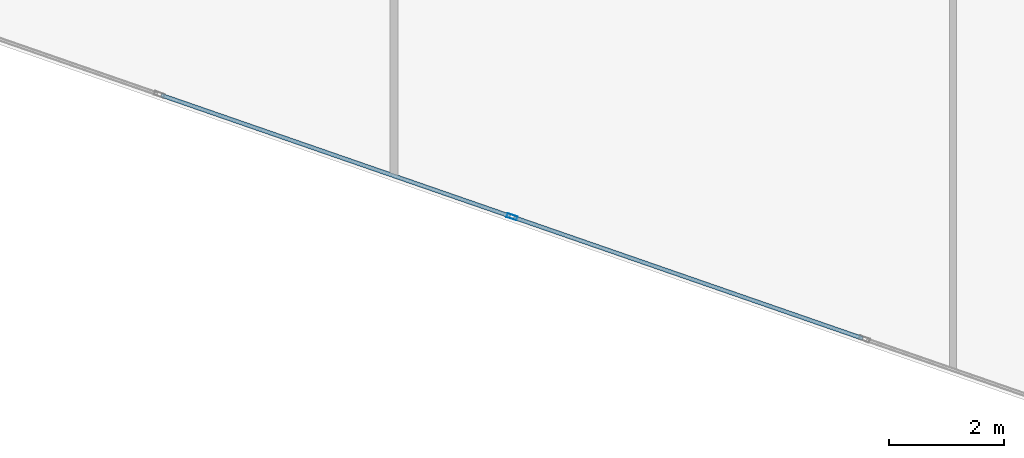
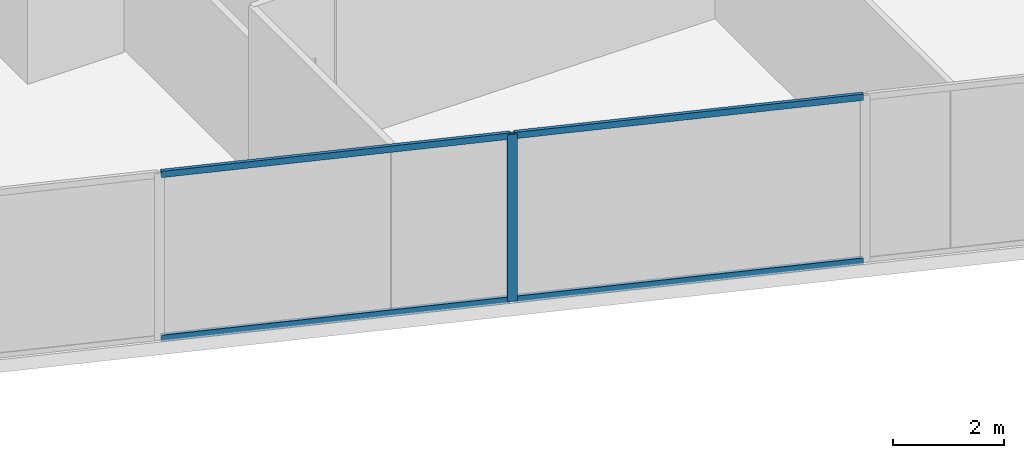
# One storey, part 3 of 27: 5 members, 1 element without a shape of its own.
"""IFC4 building model written with IfcOpenShell, lengths in metres."""

from ifc_helpers import new_model, si_unit, direction, frame, origin, origin_2d, place, context, subcontext, project, spatial, hollow_rectangle, extrude, source, transform, mapped, material, material_profile, profile_set, type_object, type_shapes, element, aggregate, save


model = new_model("IFC4")

# Units and contexts
model_context = context("Model", 3, precision=1e-05, world=origin(), true_north=direction((0.0, 1.0)))
body_context = subcontext(model_context, "Body", "Model", "MODEL_VIEW")
ifc_project = project(units=[si_unit("LENGTHUNIT", "METRE"), si_unit("AREAUNIT", "SQUARE_METRE"), si_unit("VOLUMEUNIT", "CUBIC_METRE"), si_unit("PLANEANGLEUNIT", "RADIAN"), si_unit("MASSUNIT", "GRAM", prefix="KILO")], contexts=[model_context])

# Site, building, storey
site_placement = place(None, origin())
site = spatial("IfcSite", under=ifc_project, at=site_placement, CompositionType="ELEMENT")
building_placement = place(site_placement, origin())
building = spatial("IfcBuilding", under=site, at=building_placement, Name="Krantzveldt Concourse Tower", CompositionType="ELEMENT")
storey_placement = place(building_placement, frame((0.0, 0.0, 121.64990234375)))
storey = spatial("IfcBuildingStorey", under=building, at=storey_placement, Name="L29", CompositionType="ELEMENT", Elevation=121.64990234375)

# Curtain wall, members
ifc_material = material(Name="Anodised aluminium 6063-T6", Category="aluminium")
curtain_wall_type = type_object("IfcCurtainWallType", Name="CW2", PredefinedType="USERDEFINED", material=ifc_material)
curtain_wall_placement = place(storey_placement, origin())
curtain_wall = element("IfcCurtainWall", 1, at=curtain_wall_placement, inside=storey, type_object=curtain_wall_type, Name="CW-L29-F04", ObjectType="UNITISED CURTAIN WALL", PredefinedType="USERDEFINED")
ifc_material_profile_1 = material_profile(ifc_material, hollow_rectangle(XDim=0.070068359375, YDim=0.179931640625, WallThickness=0.0048828125, at=origin_2d()), Name="Anodised aluminium 6063-T6", Category="aluminium")
ifc_profile_set_1 = profile_set([ifc_material_profile_1], Name="Anodised aluminium 6063-T6 - ALU-MULL 180x70x5")
member_type_1 = type_object("IfcMemberType", Name="CW-MUL-180", PredefinedType="MULLION", material=ifc_profile_set_1)
shared_shape_1 = source(origin(), body_context, "Body", "SweptSolid", [
    extrude(hollow_rectangle(XDim=0.070068359375, YDim=0.179931640625, WallThickness=0.0048828125, at=origin_2d()), origin(), (0.0, 0.0, 1.0), 3.670166015625),
])
type_shapes(member_type_1, [shared_shape_1])
member_1_placement = place(storey_placement, frame((28.363037109375, 4.676513671875, 0.0), z_axis=(0.0, 0.0, 1.0), x_axis=(0.32763019404, 0.944806041446, 0.0)))
member_1 = element("IfcMember", 2, at=member_1_placement, type_object=member_type_1, Name="CW-Z12 mullion 4", PredefinedType="MULLION", context=body_context, shape_type="MappedRepresentation", body=[
    mapped(shared_shape_1, transform((0.0, 0.0, 0.0), x_axis=(1.0, 0.0, 0.0), y_axis=(0.0, 1.0, 0.0), z_axis=(0.0, 0.0, 1.0), scale=1.0)),
])
ifc_material_profile_2 = material_profile(ifc_material, hollow_rectangle(XDim=0.070068359375, YDim=0.139892578125, WallThickness=0.0048828125, at=origin_2d()), Name="Anodised aluminium 6063-T6", Category="aluminium")
ifc_profile_set_2 = profile_set([ifc_material_profile_2], Name="Anodised aluminium 6063-T6 - ALU-TRAN 140x70x5")
member_type_2 = type_object("IfcMemberType", Name="CW-TRN-150", PredefinedType="USERDEFINED", material=ifc_profile_set_2)
shared_shape_2 = source(origin(), body_context, "Body", "SweptSolid", [
    extrude(hollow_rectangle(XDim=0.070068359375, YDim=0.139892578125, WallThickness=0.0048828125, at=origin_2d()), origin(), (0.0, 0.0, 1.0), 6.396728515625),
])
member_2_placement = place(storey_placement, frame((28.39599609375, 4.6650390625, 0.03515625), z_axis=(0.944809422525, -0.327620443666, 0.0), x_axis=(0.327620443666, 0.944809422525, 0.0)))
member_2 = element("IfcMember", 3, at=member_2_placement, type_object=member_type_2, Name="CW-Z12 transom 4.1", ObjectType="TRANSOM", PredefinedType="USERDEFINED", context=body_context, shape_type="MappedRepresentation", body=[
    mapped(shared_shape_2, transform((0.0, 0.0, 0.0), x_axis=(1.0, 0.0, 0.0), y_axis=(0.0, 1.0, 0.0), z_axis=(0.0, 0.0, 1.0), scale=1.0)),
])
member_3_placement = place(storey_placement, frame((28.39599609375, 4.6650390625, 3.635009765625), z_axis=(0.944809422525, -0.327620443666, 0.0), x_axis=(0.327620443666, 0.944809422525, 0.0)))
member_3 = element("IfcMember", 4, at=member_3_placement, type_object=member_type_2, Name="CW-Z12 transom 4.2", ObjectType="TRANSOM", PredefinedType="USERDEFINED", context=body_context, shape_type="MappedRepresentation", body=[
    mapped(shared_shape_2, transform((0.0, 0.0, 0.0), x_axis=(1.0, 0.0, 0.0), y_axis=(0.0, 1.0, 0.0), z_axis=(0.0, 0.0, 1.0), scale=1.0)),
])
shared_shape_3 = source(origin(), body_context, "Body", "SweptSolid", [
    extrude(hollow_rectangle(XDim=0.070068359375, YDim=0.139892578125, WallThickness=0.0048828125, at=origin_2d()), origin(), (0.0, 0.0, 1.0), 6.396484375),
])
type_shapes(member_type_2, [shared_shape_2, shared_shape_3])
member_4_placement = place(storey_placement, frame((22.286376953125, 6.78369140625, 0.03515625), z_axis=(0.944805325706, -0.327632258054, 0.0), x_axis=(0.327632258054, 0.944805325706, 0.0)))
member_4 = element("IfcMember", 5, at=member_4_placement, type_object=member_type_2, Name="CW-Z12 transom 3.1", ObjectType="TRANSOM", PredefinedType="USERDEFINED", context=body_context, shape_type="MappedRepresentation", body=[
    mapped(shared_shape_3, transform((0.0, 0.0, 0.0), x_axis=(1.0, 0.0, 0.0), y_axis=(0.0, 1.0, 0.0), z_axis=(0.0, 0.0, 1.0), scale=1.0)),
])
member_5_placement = place(storey_placement, frame((22.286376953125, 6.78369140625, 3.635009765625), z_axis=(0.944805325706, -0.327632258054, 0.0), x_axis=(0.327632258054, 0.944805325706, 0.0)))
member_5 = element("IfcMember", 6, at=member_5_placement, type_object=member_type_2, Name="CW-Z12 transom 3.2", ObjectType="TRANSOM", PredefinedType="USERDEFINED", context=body_context, shape_type="MappedRepresentation", body=[
    mapped(shared_shape_3, transform((0.0, 0.0, 0.0), x_axis=(1.0, 0.0, 0.0), y_axis=(0.0, 1.0, 0.0), z_axis=(0.0, 0.0, 1.0), scale=1.0)),
])
aggregate(curtain_wall, [member_1, member_4, member_5, member_2, member_3])

save(model, "model.ifc")
